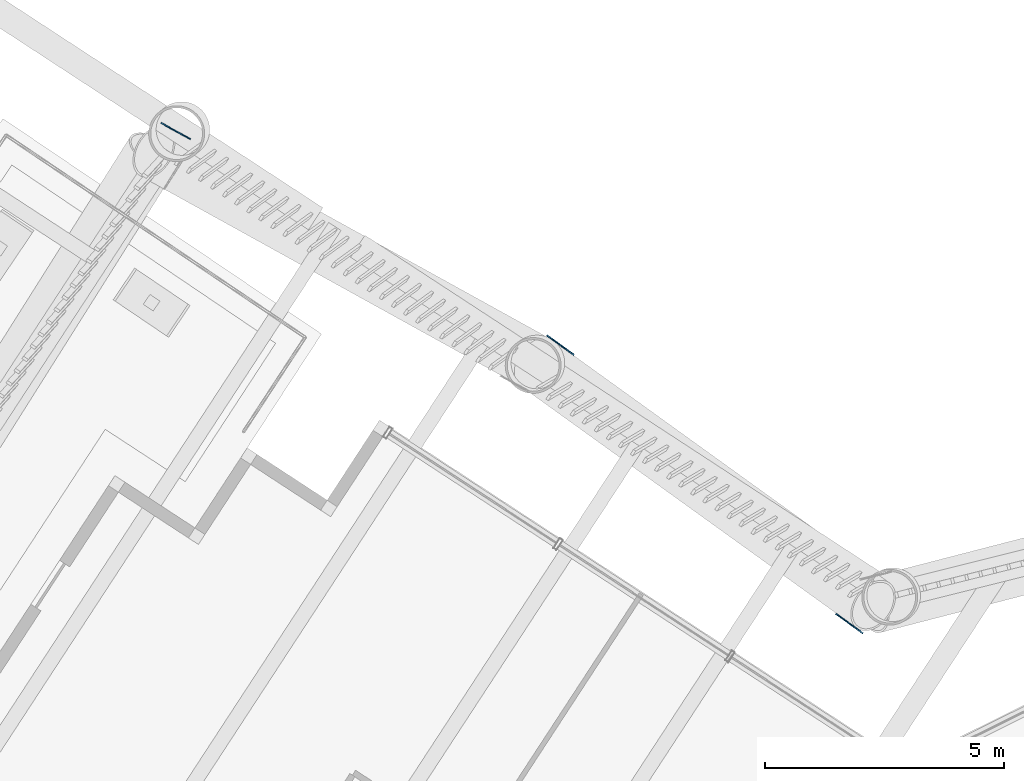
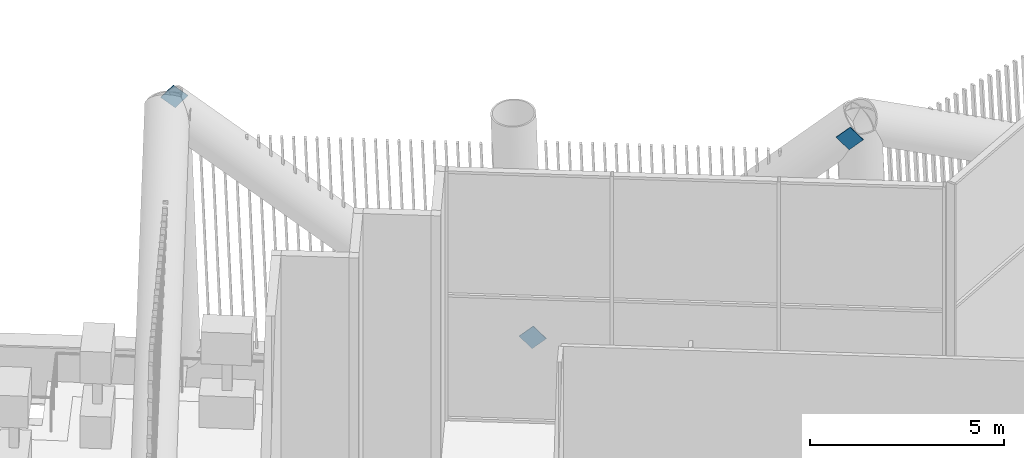
# One storey, part 43 of 63: 3 discrete accessories.
"""IFC4 building model written with IfcOpenShell, lengths in metres."""

from ifc_helpers import new_model, si_unit, direction, frame, origin, origin_2d, place, context, subcontext, project, spatial, rectangle, extrude, material, material_profile, profile_set, type_object, element, save


model = new_model("IFC4")

# Units and contexts
model_context = context("Model", 3, precision=1e-05, world=origin(), true_north=direction((0.0, 1.0)))
body_context = subcontext(model_context, "Body", "Model", "MODEL_VIEW")
ifc_project = project(units=[si_unit("LENGTHUNIT", "METRE"), si_unit("AREAUNIT", "SQUARE_METRE"), si_unit("VOLUMEUNIT", "CUBIC_METRE"), si_unit("PLANEANGLEUNIT", "RADIAN"), si_unit("MASSUNIT", "GRAM", prefix="KILO")], contexts=[model_context])

# Site, building, storey
site_placement = place(None, origin())
site = spatial("IfcSite", under=ifc_project, at=site_placement, CompositionType="ELEMENT")
building_placement = place(site_placement, origin())
building = spatial("IfcBuilding", under=site, at=building_placement, Name="Tarsis Ring Headquarters", CompositionType="ELEMENT")
storey_placement = place(building_placement, frame((0.0, 0.0, 139.60009765625)))
storey = spatial("IfcBuildingStorey", under=building, at=storey_placement, Name="L32", CompositionType="ELEMENT", Elevation=139.60009765625)

# Discrete accessories
ifc_material = material(Name="Structural steel S355", Category="steel")
ifc_material_profile = material_profile(ifc_material, rectangle(XDim=0.02490234375, YDim=0.5, at=origin_2d()), Name="PL 25x500")
ifc_profile_set = profile_set([ifc_material_profile], Name="Structural steel S355")
discrete_accessory_type = type_object("IfcDiscreteAccessoryType", Name="Gusset plate Belt truss 25", PredefinedType="BRACKET", material=ifc_profile_set)
discrete_accessory_placement = place(storey_placement, frame((-19.933349609375, 31.415283203125, 0.0), z_axis=(0.596882581892, -0.429833610527, 0.677476383865), x_axis=(0.584374698611, 0.81148395648, 0.0)))
element("IfcDiscreteAccessory", 1, at=discrete_accessory_placement, inside=storey, type_object=discrete_accessory_type, Name="Gusset plate GP4", PredefinedType="BRACKET", context=body_context, shape_type="SweptSolid", body=[
    extrude(rectangle(XDim=0.02490234375, YDim=0.5, at=origin_2d()), origin(), (0.0, 0.0, 1.0), 0.499755859375),
])
for number, where, z_axis, x_axis, name in (
    (2, (-13.586181640625, 25.372802734375, 8.0), (-0.596559869952, 0.430089398877, -0.677598281091), (-0.584811733192, -0.811169055574, 0.0), "Gusset plate GP4"),
    (3, (-28.0048828125, 35.882568359375, 8.0), (0.659037031921, -0.364178982084, -0.658060680762), (0.483659971596, 0.875255980771, 0.0), "Gusset plate GP4"),
):
    element("IfcDiscreteAccessory", number, at=place(storey_placement, frame(where, z_axis=z_axis, x_axis=x_axis)), inside=storey, type_object=discrete_accessory_type, Name=name, PredefinedType="BRACKET", context=body_context, shape_type="SweptSolid", body=[
        extrude(rectangle(XDim=0.02490234375, YDim=0.5, at=origin_2d()), origin(), (0.0, 0.0, 1.0), 0.5),
    ])

save(model, "model.ifc")
